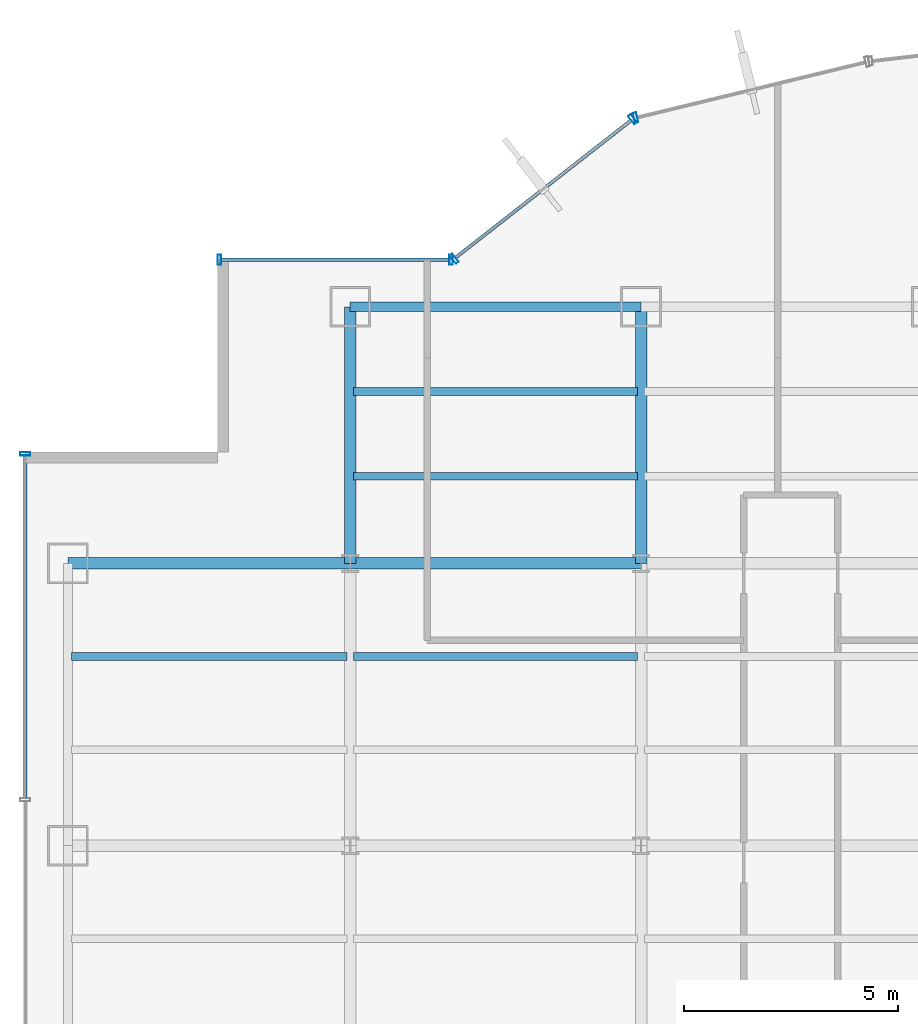
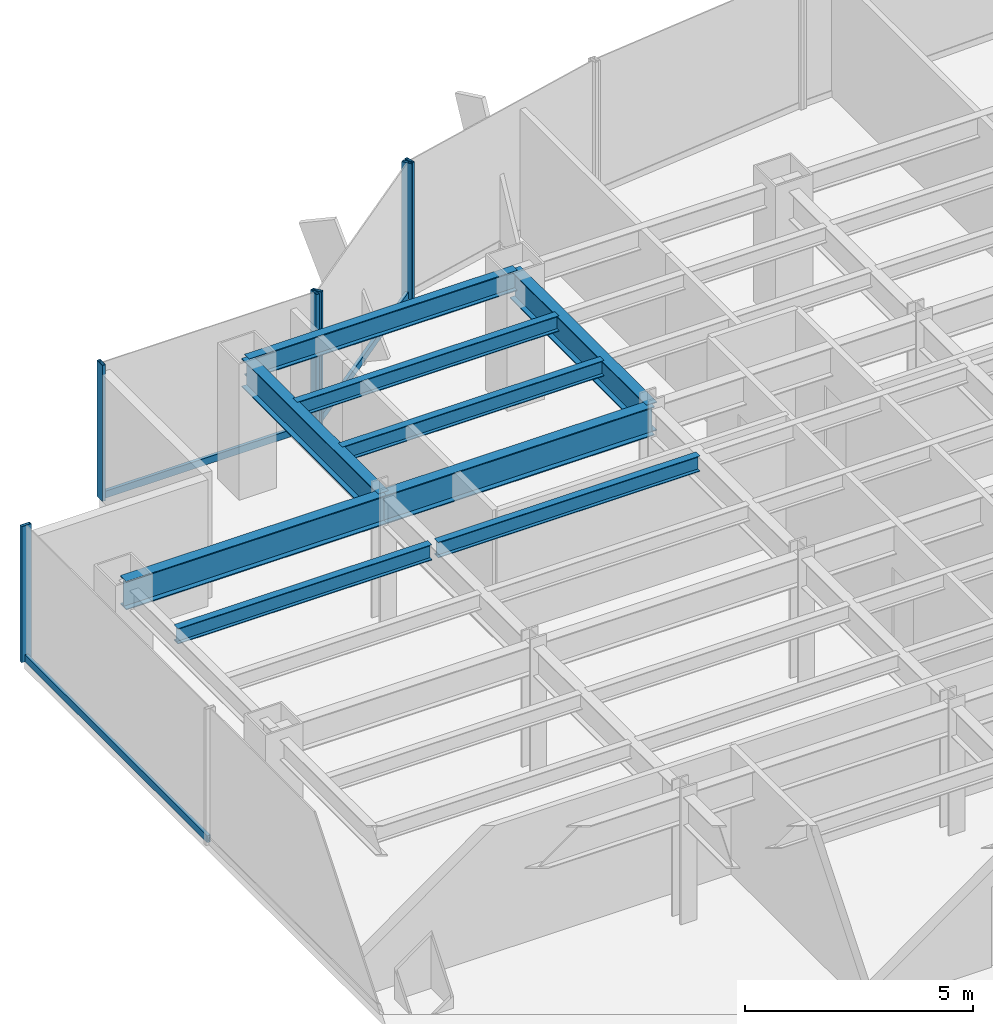
# One storey, part 10 of 22: 9 beams, 9 members, 4 elements without a shape of their own.
"""IFC4 building model written with IfcOpenShell, lengths in metres."""

from ifc_helpers import new_model, si_unit, derived_unit, direction, frame, origin, origin_2d, place, context, subcontext, project, spatial, hollow_rectangle, i_section, extrude, source, transform, mapped, material, material_profile, profile_set, type_object, element, aggregate, save


model = new_model("IFC4")

# Units and contexts
model_context = context("Model", 3, precision=1e-05, world=origin(), true_north=direction((0.0, 1.0)))
body_context = subcontext(model_context, "Body", "Model", "MODEL_VIEW")
ifc_project = project(units=[si_unit("LENGTHUNIT", "METRE"), si_unit("AREAUNIT", "SQUARE_METRE"), si_unit("VOLUMEUNIT", "CUBIC_METRE"), si_unit("PLANEANGLEUNIT", "RADIAN"), si_unit("MASSUNIT", "GRAM", prefix="KILO"), derived_unit("THERMALTRANSMITTANCEUNIT", [(si_unit("POWERUNIT", "WATT"), 1), (si_unit("LENGTHUNIT", "METRE"), -2), (si_unit("THERMODYNAMICTEMPERATUREUNIT", "KELVIN"), -1)])], contexts=[model_context])

# Site, building, storey
site_placement = place(None, origin())
site = spatial("IfcSite", under=ifc_project, at=site_placement, CompositionType="ELEMENT")
building_placement = place(site_placement, origin())
building = spatial("IfcBuilding", under=site, at=building_placement, Name="Skarnbrae Concourse Arena and Tower", CompositionType="ELEMENT")
storey_placement = place(building_placement, frame((0.0, 0.0, 58.050048828125)))
storey = spatial("IfcBuildingStorey", under=building, at=storey_placement, Name="L13", CompositionType="ELEMENT", Elevation=58.050048828125)

# Beams
ifc_material_1 = material(Name="Steel CSA G40.21 350W", Category="steel")
ifc_material_profile_1 = material_profile(ifc_material_1, i_section(OverallWidth=0.26806640625, OverallDepth=0.77001953125, WebThickness=0.015625, FlangeThickness=0.025390625, at=origin_2d()), Name="W760X196")
ifc_profile_set_1 = profile_set([ifc_material_profile_1], Name="Steel CSA G40.21 350W")
beam_type_1 = type_object("IfcBeamType", Name="BM-GIRD-W760X196", PredefinedType="BEAM", material=ifc_profile_set_1)
shared_shape_1 = source(origin(), body_context, "Body", "SweptSolid", [
    extrude(i_section(OverallWidth=0.26806640625, OverallDepth=0.77001953125, WebThickness=0.015625, FlangeThickness=0.025390625, at=origin_2d()), origin(), (0.0, 0.0, 1.0), 6.60009765625),
])
beam_1_placement = place(storey_placement, frame((1.0, 34.39990234375, 3.014892578125), z_axis=(1.0, 0.0, 0.0), x_axis=(0.0, 1.0, 0.0)))
element("IfcBeam", 1, at=beam_1_placement, inside=storey, type_object=beam_type_1, Name="L13 Primary E-W girder Y34.4-1", PredefinedType="BEAM", context=body_context, shape_type="MappedRepresentation", body=[
    mapped(shared_shape_1, transform((0.0, 0.0, 0.0))),
])
shared_shape_2 = source(origin(), body_context, "Body", "SweptSolid", [
    extrude(i_section(OverallWidth=0.26806640625, OverallDepth=0.77001953125, WebThickness=0.015625, FlangeThickness=0.025390625, at=origin_2d()), origin(), (0.0, 0.0, 1.0), 6.7998046875),
])
beam_2_placement = place(storey_placement, frame((7.60009765625, 34.39990234375, 3.014892578125), z_axis=(1.0, 0.0, 0.0), x_axis=(0.0, 1.0, 0.0)))
element("IfcBeam", 2, at=beam_2_placement, inside=storey, type_object=beam_type_1, Name="L13 Primary E-W girder Y34.4-2", PredefinedType="BEAM", context=body_context, shape_type="MappedRepresentation", body=[
    mapped(shared_shape_2, transform((0.0, 0.0, 0.0))),
])
shared_shape_3 = source(origin(), body_context, "Body", "SweptSolid", [
    extrude(i_section(OverallWidth=0.26806640625, OverallDepth=0.77001953125, WebThickness=0.015625, FlangeThickness=0.025390625, at=origin_2d()), origin(), (0.0, 0.0, 1.0), 6.0),
])
for number, where, z_axis, x_axis, name in (
    (3, (7.60009765625, 34.39990234375, 3.014892578125), (0.0, 1.0, 0.0), (-1.0, 0.0, 0.0), "L13 Primary N-S girder X7.6-4"),
    (4, (14.39990234375, 34.39990234375, 3.014892578125), (0.0, 1.0, 0.0), (-1.0, 0.0, 0.0), "L13 Primary N-S girder X14.4-4"),
):
    element("IfcBeam", number, at=place(storey_placement, frame(where, z_axis=z_axis, x_axis=x_axis)), inside=storey, type_object=beam_type_1, Name=name, PredefinedType="BEAM", context=body_context, shape_type="MappedRepresentation", body=[
        mapped(shared_shape_3, transform((0.0, 0.0, 0.0))),
    ])
ifc_material_profile_2 = material_profile(ifc_material_1, i_section(OverallWidth=0.214111328125, OverallDepth=0.549072265625, WebThickness=0.0146484375, FlangeThickness=0.023681640625, at=origin_2d()), Name="W530X138")
ifc_profile_set_2 = profile_set([ifc_material_profile_2], Name="Steel CSA G40.21 350W")
beam_type_2 = type_object("IfcBeamType", Name="BM-SPAN-W530X138", PredefinedType="SPANDREL", material=ifc_profile_set_2)
shared_shape_4 = source(origin(), body_context, "Body", "SweptSolid", [
    extrude(i_section(OverallWidth=0.214111328125, OverallDepth=0.549072265625, WebThickness=0.0146484375, FlangeThickness=0.023681640625, at=origin_2d()), origin(), (0.0, 0.0, 1.0), 6.7998046875),
])
beam_3_placement = place(storey_placement, frame((7.60009765625, 40.39990234375, 3.12548828125), z_axis=(1.0, 0.0, 0.0), x_axis=(0.0, 1.0, 0.0)))
element("IfcBeam", 5, at=beam_3_placement, inside=storey, type_object=beam_type_2, Name="L13 Perimeter spandrel Y40.4-1", PredefinedType="SPANDREL", context=body_context, shape_type="MappedRepresentation", body=[
    mapped(shared_shape_4, transform((0.0, 0.0, 0.0))),
])
ifc_material_profile_3 = material_profile(ifc_material_1, i_section(OverallWidth=0.180908203125, OverallDepth=0.4169921875, WebThickness=0.010986328125, FlangeThickness=0.018310546875, at=origin_2d()), Name="W410X85")
ifc_profile_set_3 = profile_set([ifc_material_profile_3], Name="Steel CSA G40.21 350W")
beam_type_3 = type_object("IfcBeamType", Name="BM-JOIST-W410X85", PredefinedType="JOIST", material=ifc_profile_set_3)
shared_shape_5 = source(origin(), body_context, "Body", "SweptSolid", [
    extrude(i_section(OverallWidth=0.180908203125, OverallDepth=0.4169921875, WebThickness=0.010986328125, FlangeThickness=0.018310546875, at=origin_2d()), origin(), (0.0, 0.0, 1.0), 6.43994140625),
])
beam_4_placement = place(storey_placement, frame((1.080078125, 32.221923828125, 3.19140625), z_axis=(1.0, 0.0, 0.0), x_axis=(0.0, 1.0, 0.0)))
element("IfcBeam", 6, at=beam_4_placement, inside=storey, type_object=beam_type_3, Name="L13 Secondary floor joist 3.2.1", PredefinedType="JOIST", context=body_context, shape_type="MappedRepresentation", body=[
    mapped(shared_shape_5, transform((0.0, 0.0, 0.0))),
])
shared_shape_6 = source(origin(), body_context, "Body", "SweptSolid", [
    extrude(i_section(OverallWidth=0.180908203125, OverallDepth=0.4169921875, WebThickness=0.010986328125, FlangeThickness=0.018310546875, at=origin_2d()), origin(), (0.0, 0.0, 1.0), 6.64013671875),
])
for number, where, z_axis, x_axis, name in (
    (7, (7.679931640625, 32.221923828125, 3.19140625), (1.0, 0.0, 0.0), (0.0, 1.0, 0.0), "L13 Secondary floor joist 3.2.2"),
    (8, (7.679931640625, 36.43994140625, 3.19140625), (1.0, 0.0, 0.0), (0.0, 1.0, 0.0), "L13 Secondary floor joist 4.1.1"),
    (9, (7.679931640625, 38.419921875, 3.19140625), (1.0, 0.0, 0.0), (0.0, 1.0, 0.0), "L13 Secondary floor joist 4.2.1"),
):
    element("IfcBeam", number, at=place(storey_placement, frame(where, z_axis=z_axis, x_axis=x_axis)), inside=storey, type_object=beam_type_3, Name=name, PredefinedType="JOIST", context=body_context, shape_type="MappedRepresentation", body=[
        mapped(shared_shape_6, transform((0.0, 0.0, 0.0))),
    ])

# Curtain wall, member
ifc_material_2 = material(Name="Bronze anodised aluminium 6063-T6", Category="aluminium")
curtain_wall_type = type_object("IfcCurtainWallType", Name="CW-SYS-02-LOWZONE", PredefinedType="USERDEFINED", material=ifc_material_2)
curtain_wall_1_placement = place(storey_placement, origin())
curtain_wall_1 = element("IfcCurtainWall", 10, at=curtain_wall_1_placement, inside=storey, type_object=curtain_wall_type, Name="L13 Unitised curtain wall CW-L13-E14", ObjectType="UNITISED CURTAIN WALL", PredefinedType="USERDEFINED")
ifc_material_profile_4 = material_profile(ifc_material_2, hollow_rectangle(XDim=0.080078125, YDim=0.239990234375, WallThickness=0.0048828125, at=origin_2d()), Name="ALU-MULL-80X240")
ifc_profile_set_4 = profile_set([ifc_material_profile_4], Name="Bronze anodised aluminium 6063-T6")
member_type_1 = type_object("IfcMemberType", Name="CWM-CW-02", PredefinedType="MULLION", material=ifc_profile_set_4)
shared_shape_7 = source(origin(), body_context, "Body", "SweptSolid", [
    extrude(hollow_rectangle(XDim=0.080078125, YDim=0.239990234375, WallThickness=0.0048828125, at=origin_2d()), origin(), (0.0, 0.0, 1.0), 3.64990234375),
])
member_1_placement = place(storey_placement, frame((14.272705078125, 44.821044921875, 0.0), z_axis=(0.0, 0.0, 1.0), x_axis=(-0.971973721569, -0.235089524607, 0.0)))
member_1 = element("IfcMember", 11, at=member_1_placement, type_object=member_type_1, Name="CW-L13-E14 Mullion 2", PredefinedType="MULLION", context=body_context, shape_type="MappedRepresentation", body=[
    mapped(shared_shape_7, transform((0.0, 0.0, 0.0))),
])
aggregate(curtain_wall_1, [member_1])

# Curtain wall, members
curtain_wall_2_placement = place(storey_placement, origin())
curtain_wall_2 = element("IfcCurtainWall", 12, at=curtain_wall_2_placement, inside=storey, type_object=curtain_wall_type, Name="L13 Unitised curtain wall CW-L13-E15", ObjectType="UNITISED CURTAIN WALL", PredefinedType="USERDEFINED")
member_2_placement = place(storey_placement, frame((14.2021484375, 44.787109375, 0.0), z_axis=(0.0, 0.0, 1.0), x_axis=(-0.787651726054, -0.616120733658, 0.0)))
member_2 = element("IfcMember", 13, at=member_2_placement, type_object=member_type_1, Name="CW-L13-E15 Mullion 1", PredefinedType="MULLION", context=body_context, shape_type="MappedRepresentation", body=[
    mapped(shared_shape_7, transform((0.0, 0.0, 0.0))),
])
member_3_placement = place(storey_placement, frame((10.031494140625, 41.524658203125, 0.0), z_axis=(0.0, 0.0, 1.0), x_axis=(-0.787651726054, -0.616120733658, 0.0)))
member_3 = element("IfcMember", 14, at=member_3_placement, type_object=member_type_1, Name="CW-L13-E15 Mullion 2", PredefinedType="MULLION", context=body_context, shape_type="MappedRepresentation", body=[
    mapped(shared_shape_7, transform((0.0, 0.0, 0.0))),
])

curtain_wall_3_placement = place(storey_placement, origin())
curtain_wall_3 = element("IfcCurtainWall", 15, at=curtain_wall_3_placement, inside=storey, type_object=curtain_wall_type, Name="L13 Unitised curtain wall CW-L13-E16", ObjectType="UNITISED CURTAIN WALL", PredefinedType="USERDEFINED")
member_4_placement = place(storey_placement, frame((9.9599609375, 41.5, 0.0), z_axis=(0.0, 0.0, 1.0), x_axis=(-1.0, 0.0, 0.0)))
member_4 = element("IfcMember", 16, at=member_4_placement, type_object=member_type_1, Name="CW-L13-E16 Mullion 1", PredefinedType="MULLION", context=body_context, shape_type="MappedRepresentation", body=[
    mapped(shared_shape_7, transform((0.0, 0.0, 0.0))),
])
member_5_placement = place(storey_placement, frame((4.5400390625, 41.5, 0.0), z_axis=(0.0, 0.0, 1.0), x_axis=(-1.0, 0.0, 0.0)))
member_5 = element("IfcMember", 17, at=member_5_placement, type_object=member_type_1, Name="CW-L13-E16 Mullion 2", PredefinedType="MULLION", context=body_context, shape_type="MappedRepresentation", body=[
    mapped(shared_shape_7, transform((0.0, 0.0, 0.0))),
])

# Curtain wall, member
curtain_wall_4_placement = place(storey_placement, origin())
curtain_wall_4 = element("IfcCurtainWall", 18, at=curtain_wall_4_placement, inside=storey, type_object=curtain_wall_type, Name="L13 Unitised curtain wall CW-L13-E19", ObjectType="UNITISED CURTAIN WALL", PredefinedType="USERDEFINED")
member_6_placement = place(storey_placement, frame((0.0, 36.9599609375, 0.0), z_axis=(0.0, 0.0, 1.0), x_axis=(0.0, -1.0, 0.0)))
member_6 = element("IfcMember", 19, at=member_6_placement, type_object=member_type_1, Name="CW-L13-E19 Mullion 1", PredefinedType="MULLION", context=body_context, shape_type="MappedRepresentation", body=[
    mapped(shared_shape_7, transform((0.0, 0.0, 0.0))),
])

# Member
ifc_material_profile_5 = material_profile(ifc_material_2, hollow_rectangle(XDim=0.080078125, YDim=0.18994140625, WallThickness=0.0048828125, at=origin_2d()), Name="ALU-TRAN-80X190")
ifc_profile_set_5 = profile_set([ifc_material_profile_5], Name="Bronze anodised aluminium 6063-T6")
member_type_2 = type_object("IfcMemberType", Name="CWT-CW-02", PredefinedType="USERDEFINED", material=ifc_profile_set_5)
shared_shape_8 = source(origin(), body_context, "Body", "SweptSolid", [
    extrude(hollow_rectangle(XDim=0.080078125, YDim=0.18994140625, WallThickness=0.0048828125, at=origin_2d()), origin(), (0.0, 0.0, 1.0), 5.33984375),
])
member_7_placement = place(storey_placement, frame((9.919921875, 41.5, 0.094970703125), z_axis=(-1.0, 0.0, 0.0), x_axis=(0.0, -1.0, 0.0)))
member_7 = element("IfcMember", 20, at=member_7_placement, type_object=member_type_2, Name="CW-L13-E16 Transom 1", ObjectType="TRANSOM", PredefinedType="USERDEFINED", context=body_context, shape_type="MappedRepresentation", body=[
    mapped(shared_shape_8, transform((0.0, 0.0, 0.0))),
])

aggregate(curtain_wall_3, [member_4, member_5, member_7])

shared_shape_9 = source(origin(), body_context, "Body", "SweptSolid", [
    extrude(hollow_rectangle(XDim=0.080078125, YDim=0.18994140625, WallThickness=0.0048828125, at=origin_2d()), origin(), (0.0, 0.0, 1.0), 5.215087890625),
])
member_8_placement = place(storey_placement, frame((14.170654296875, 44.762451171875, 0.094970703125), z_axis=(-0.787650196702, -0.616122688784, 0.0), x_axis=(0.616122688784, -0.787650196702, 0.0)))
member_8 = element("IfcMember", 21, at=member_8_placement, type_object=member_type_2, Name="CW-L13-E15 Transom 1", ObjectType="TRANSOM", PredefinedType="USERDEFINED", context=body_context, shape_type="MappedRepresentation", body=[
    mapped(shared_shape_9, transform((0.0, 0.0, 0.0))),
])

aggregate(curtain_wall_2, [member_2, member_3, member_8])

shared_shape_10 = source(origin(), body_context, "Body", "SweptSolid", [
    extrude(hollow_rectangle(XDim=0.080078125, YDim=0.18994140625, WallThickness=0.0048828125, at=origin_2d()), origin(), (0.0, 0.0, 1.0), 8.0048828125),
])
member_9_placement = place(storey_placement, frame((0.0, 36.919921875, 0.094970703125), z_axis=(0.0, -1.0, 0.0), x_axis=(1.0, 0.0, 0.0)))
member_9 = element("IfcMember", 22, at=member_9_placement, type_object=member_type_2, Name="CW-L13-E19 Transom 1", ObjectType="TRANSOM", PredefinedType="USERDEFINED", context=body_context, shape_type="MappedRepresentation", body=[
    mapped(shared_shape_10, transform((0.0, 0.0, 0.0))),
])

aggregate(curtain_wall_4, [member_6, member_9])

save(model, "model.ifc")
